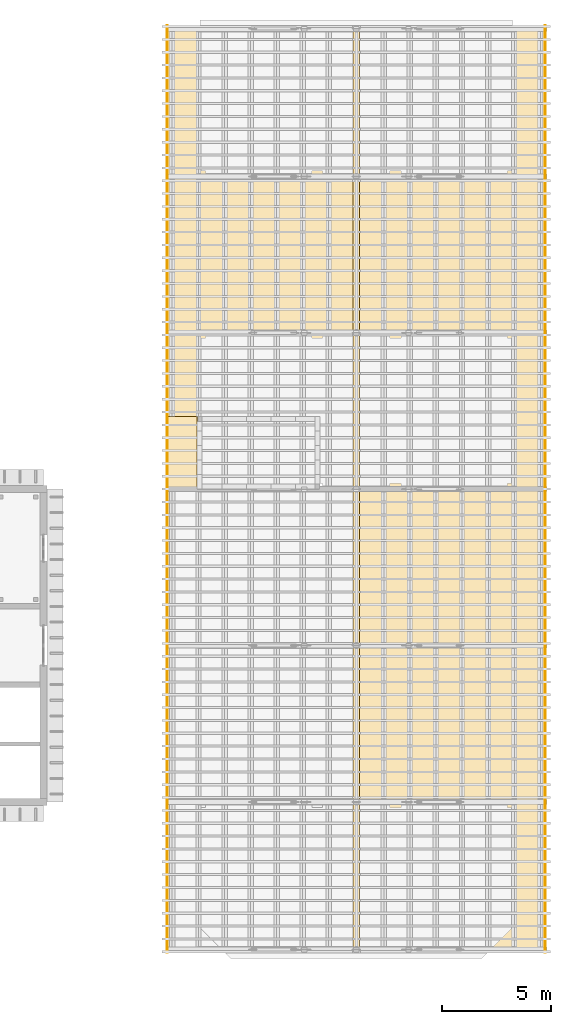
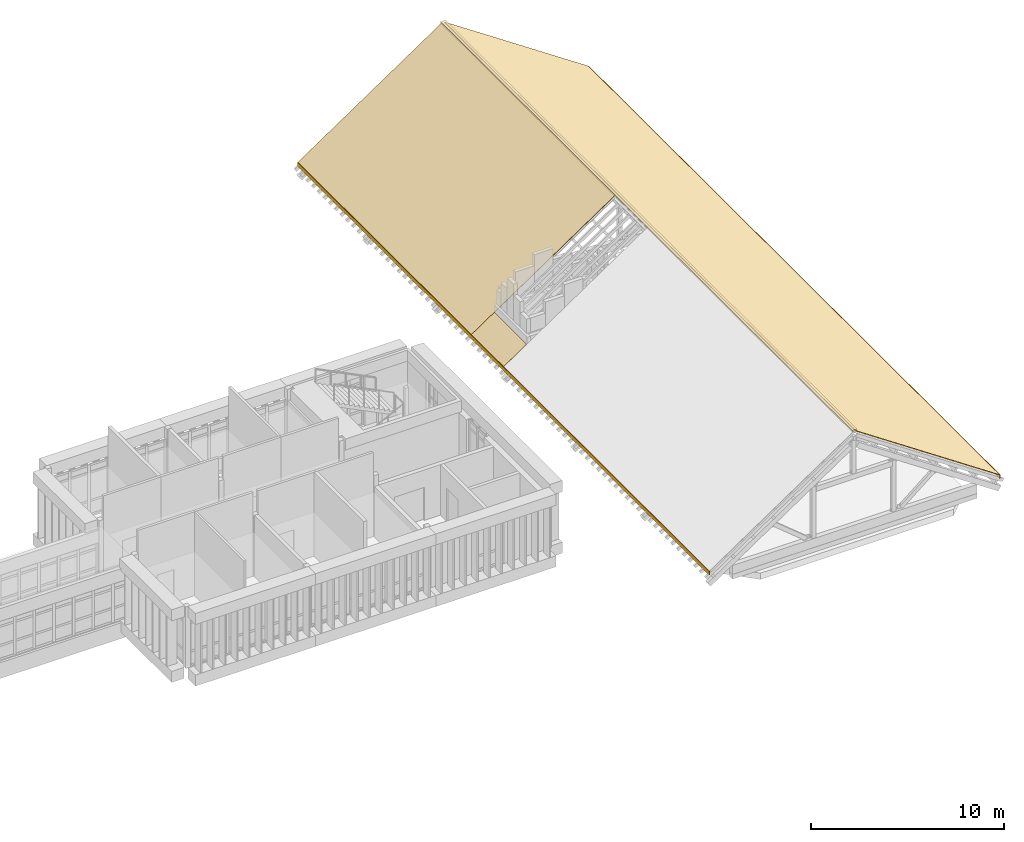
# One storey, part 50 of 51: 6 coverings.
"""IFC4 building model written with IfcOpenShell, lengths in metres."""

from ifc_helpers import new_model, si_unit, direction, frame, origin, origin_2d, place, context, subcontext, project, spatial, polyline, rectangle, outline, extrude, material, layer, layer_set, type_object, element, save


model = new_model("IFC4")

# Units and contexts
model_context = context("Model", 3, precision=1e-05, world=origin(), true_north=direction((0.0, 1.0)))
body_context = subcontext(model_context, "Body", "Model", "MODEL_VIEW")
ifc_project = project(units=[si_unit("LENGTHUNIT", "METRE"), si_unit("AREAUNIT", "SQUARE_METRE"), si_unit("VOLUMEUNIT", "CUBIC_METRE"), si_unit("PLANEANGLEUNIT", "RADIAN"), si_unit("MASSUNIT", "GRAM", prefix="KILO")], contexts=[model_context])

# Site, building, storey
site_placement = place(None, origin())
site = spatial("IfcSite", under=ifc_project, at=site_placement, CompositionType="ELEMENT")
building_placement = place(site_placement, origin())
building = spatial("IfcBuilding", under=site, at=building_placement, Name="Mazhai Court Health Centre", CompositionType="ELEMENT")
storey_placement = place(building_placement, frame((0.0, 0.0, 14.10009765625)))
storey = spatial("IfcBuildingStorey", under=building, at=storey_placement, Name="L03", CompositionType="ELEMENT", Elevation=14.10009765625)

# Coverings
ifc_material_1 = material(Name="Clay roof tile")
ifc_layer_1 = layer(ifc_material_1, 0.10009765625)
ifc_layer_set_1 = layer_set([ifc_layer_1], Name="ROOFING CLAY ROOF TILE 100")
covering_type_1 = type_object("IfcCoveringType", Name="ROOFING CLAY ROOF TILE 100", PredefinedType="MOLDING", material=ifc_layer_set_1)
covering_1_placement = place(storey_placement, frame((143.0, 27.800048828125, 6.5087890625), z_axis=(0.0, 0.0, 1.0), x_axis=(1.0, 0.0, 0.0)))
element("IfcCovering", 1, at=covering_1_placement, inside=storey, type_object=covering_type_1, Name="Ridge cap RV6-RG1", PredefinedType="MOLDING", context=body_context, shape_type="SweptSolid", body=[
    extrude(rectangle(XDim=0.300048828125, YDim=42.699951171875, at=origin_2d()), origin(), (0.0, 0.0, 1.0), 0.10009765625),
])
ifc_material_2 = material(Name="Larch fascia board", Category="wood")
ifc_layer_2 = layer(ifc_material_2, 0.02490234375)
ifc_layer_set_2 = layer_set([ifc_layer_2], Name="ROOFING CLAY ROOF TILE 25")
covering_type_2 = type_object("IfcCoveringType", Name="ROOFING CLAY ROOF TILE 25", PredefinedType="MOLDING", material=ifc_layer_set_2)
covering_2_placement = place(storey_placement, frame((0.0, 0.0, 0.45263671875)))
element("IfcCovering", 2, at=covering_2_placement, inside=storey, type_object=covering_type_2, Name="Fascia board RV6-FB1", PredefinedType="MOLDING", context=body_context, shape_type="SweptSolid", body=[
    extrude(outline(polyline([(134.320068359375, 6.449951171875), (134.320068359375, 49.14990234375), (134.27490234375, 49.14990234375), (134.27490234375, 6.449951171875), (134.320068359375, 6.449951171875)])), origin(), (0.0, 0.0, 1.0), 0.25),
])
covering_3_placement = place(storey_placement, frame((0.0, 0.0, 0.45263671875)))
element("IfcCovering", 3, at=covering_3_placement, inside=storey, type_object=covering_type_2, Name="Fascia board RV6-FB2", PredefinedType="MOLDING", context=body_context, shape_type="SweptSolid", body=[
    extrude(outline(polyline([(151.679931640625, 49.14990234375), (151.679931640625, 6.449951171875), (151.72509765625, 6.449951171875), (151.72509765625, 49.14990234375), (151.679931640625, 49.14990234375)])), origin(), (0.0, 0.0, 1.0), 0.25),
])
ifc_material_3 = material(Name="Clay roof tile")
ifc_layer_3 = layer(ifc_material_3, 0.030029296875)
ifc_layer_set_3 = layer_set([ifc_layer_3], Name="ROOFING CLAY ROOF TILE 30")
covering_type_3 = type_object("IfcCoveringType", Name="ROOFING CLAY ROOF TILE 30", PredefinedType="ROOFING", material=ifc_layer_set_3)
covering_4_placement = place(storey_placement, frame((151.699951171875, 6.449951171875, 0.70263671875), z_axis=(0.559191170707, 0.0, 0.829038741316), x_axis=(0.0, 1.0, 0.0)))
element("IfcCovering", 4, at=covering_4_placement, inside=storey, type_object=covering_type_3, Name="Roof covering RV6-RC2", PredefinedType="ROOFING", context=body_context, shape_type="SweptSolid", body=[
    extrude(outline(polyline([(0.0, 0.0), (42.699951171875, 0.0), (42.699951171875, 10.40626551652731), (0.0, 10.40626551652731), (0.0, 0.0)])), origin(), (0.0, 0.0, -1.0), 0.030029296875),
])
covering_5_placement = place(storey_placement, frame((134.300048828125, 49.14990234375, 0.70263671875), z_axis=(-0.559191170707, 0.0, 0.829038741316), x_axis=(0.829038741316, 0.0, 0.559191170707)))
element("IfcCovering", 5, at=covering_5_placement, inside=storey, type_object=covering_type_3, Name="Roof covering RV6-RC1", PredefinedType="ROOFING", context=body_context, shape_type="SweptSolid", body=[
    extrude(outline(polyline([(0.0, 0.0), (10.40626551652731, 0.0), (10.40626551652731, -18.0), (0.0, -18.0), (0.0, 0.0)])), origin(), (0.0, 0.0, -1.0), 0.030029296875),
])
covering_6_placement = place(storey_placement, frame((134.300048828125, 31.14990234375, 0.70263671875), z_axis=(-0.559209903354, 0.0, 0.829026105735), x_axis=(0.829026105735, 0.0, 0.559209903354)))
element("IfcCovering", 6, at=covering_6_placement, inside=storey, type_object=covering_type_3, Name="Roof covering RV6-RC1", PredefinedType="ROOFING", context=body_context, shape_type="SweptSolid", body=[
    extrude(outline(polyline([(0.0, 0.0), (1.6585726197128037, 0.0), (1.6585726197128037, -3.349853515625), (0.0, -3.349853515625), (0.0, 0.0)])), origin(), (0.0, 0.0, -1.0), 0.030029296875),
])

save(model, "model.ifc")
